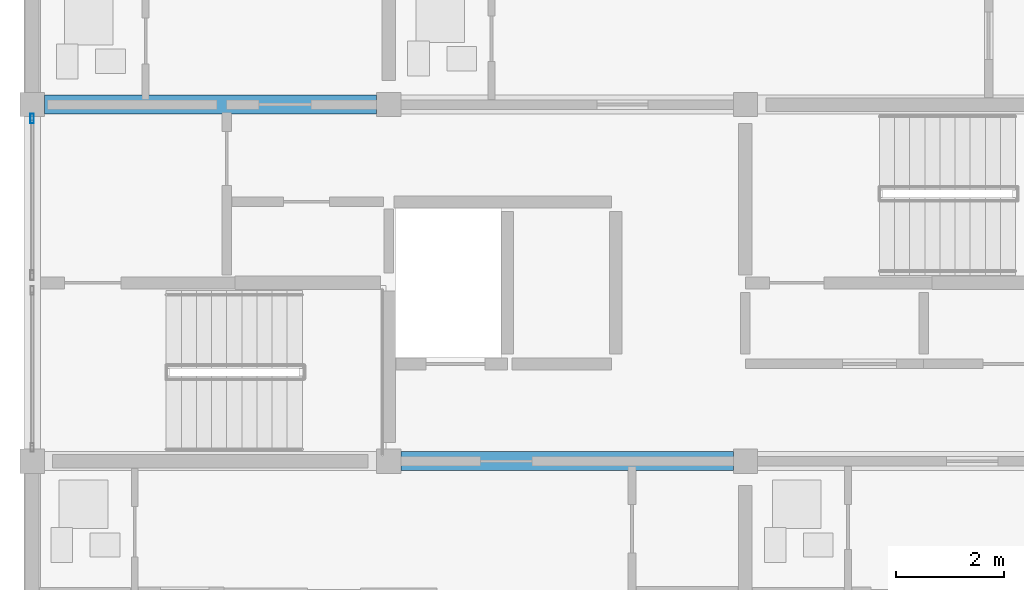
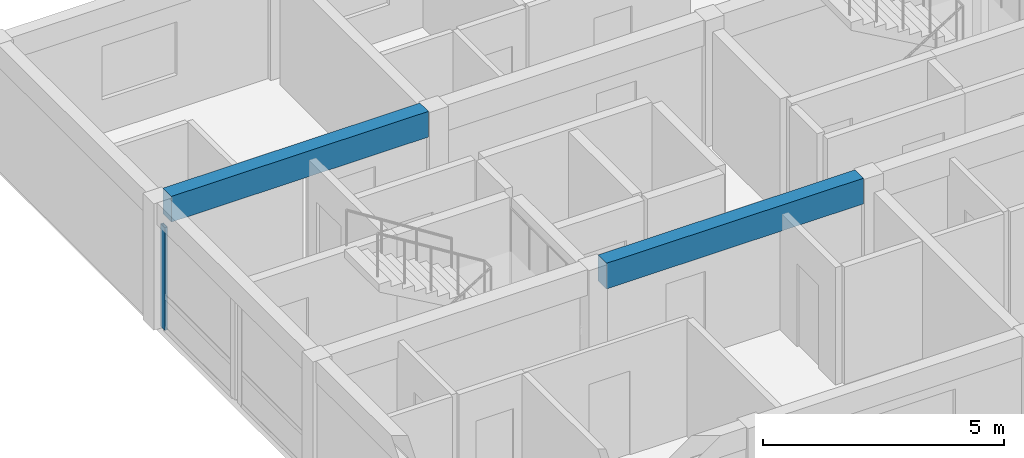
# One storey, part 9 of 37: 2 beams, 1 member, 1 element without a shape of its own.
"""IFC4 building model written with IfcOpenShell, lengths in metres."""

from ifc_helpers import new_model, si_unit, direction, frame, origin, origin_2d, place, context, subcontext, project, spatial, rectangle, hollow_rectangle, extrude, material, material_profile, profile_set, type_object, element, aggregate, save


model = new_model("IFC4")

# Units and contexts
model_context = context("Model", 3, precision=1e-05, world=origin(), true_north=direction((0.0, 1.0)))
body_context = subcontext(model_context, "Body", "Model", "MODEL_VIEW")
ifc_project = project(units=[si_unit("LENGTHUNIT", "METRE"), si_unit("AREAUNIT", "SQUARE_METRE"), si_unit("VOLUMEUNIT", "CUBIC_METRE"), si_unit("PLANEANGLEUNIT", "RADIAN"), si_unit("MASSUNIT", "GRAM", prefix="KILO")], contexts=[model_context])

# Site, building, storey
site_placement = place(None, origin())
site = spatial("IfcSite", under=ifc_project, at=site_placement, CompositionType="ELEMENT")
building_placement = place(site_placement, origin())
building = spatial("IfcBuilding", under=site, at=building_placement, Name="Kernevlak Ridge Housing Community", CompositionType="ELEMENT")
storey_placement = place(building_placement, frame((0.0, 0.0, 37.199951171875)))
storey = spatial("IfcBuildingStorey", under=building, at=storey_placement, Name="L11", CompositionType="ELEMENT", Elevation=37.199951171875)

# Beams
ifc_material_1 = material(Name="Concrete C35/45", Category="concrete")
ifc_material_profile_1 = material_profile(ifc_material_1, rectangle(XDim=0.35009765625, YDim=0.64990234375, at=origin_2d()), Name="RC 350x650")
ifc_profile_set_1 = profile_set([ifc_material_profile_1], Name="Concrete C35/45")
beam_type = type_object("IfcBeamType", Name="B-02", PredefinedType="BEAM", material=ifc_profile_set_1)
beam_1_placement = place(storey_placement, frame((22.425048828125, 82.60009765625, 2.875), z_axis=(1.0, 0.0, 0.0), x_axis=(0.0, 1.0, 0.0)))
element("IfcBeam", 1, at=beam_1_placement, inside=storey, type_object=beam_type, Name="Beam B-02 L11 349", PredefinedType="BEAM", context=body_context, shape_type="SweptSolid", body=[
    extrude(rectangle(XDim=0.35009765625, YDim=0.64990234375, at=origin_2d()), origin(), (0.0, 0.0, 1.0), 6.14990234375),
])
beam_2_placement = place(storey_placement, frame((15.824951171875, 89.199951171875, 2.875), z_axis=(1.0, 0.0, 0.0), x_axis=(0.0, 1.0, 0.0)))
element("IfcBeam", 2, at=beam_2_placement, inside=storey, type_object=beam_type, Name="Beam B-02 L11 353", PredefinedType="BEAM", context=body_context, shape_type="SweptSolid", body=[
    extrude(rectangle(XDim=0.35009765625, YDim=0.64990234375, at=origin_2d()), origin(), (0.0, 0.0, 1.0), 6.150146484375),
])

# Curtain wall, member
ifc_material_2 = material(Name="Aluminium EN AW-6060 anodised and laminated glass", Category="aluminium")
curtain_wall_type = type_object("IfcCurtainWallType", Name="CW-06", PredefinedType="NOTDEFINED", material=ifc_material_2)
curtain_wall_placement = place(storey_placement, origin())
curtain_wall = element("IfcCurtainWall", 3, at=curtain_wall_placement, inside=storey, type_object=curtain_wall_type, Name="Curtain wall CW-06 CW-L11-035", PredefinedType="NOTDEFINED")
ifc_material_3 = material(Name="Aluminium EN AW-6060 anodised", Category="aluminium")
ifc_material_profile_2 = material_profile(ifc_material_3, hollow_rectangle(XDim=0.06494140625, YDim=0.179931640625, WallThickness=0.00439453125, InnerFilletRadius=0.001953125, OuterFilletRadius=0.00439453125, at=origin_2d()), Name="ALU 65x180x4.5")
ifc_profile_set_2 = profile_set([ifc_material_profile_2], Name="Aluminium EN AW-6060 anodised")
member_type = type_object("IfcMemberType", Name="MU-03", PredefinedType="MULLION", material=ifc_profile_set_2)
member_placement = place(storey_placement, frame((15.60009765625, 88.9423828125, 0.0), z_axis=(0.0, 0.0, 1.0), x_axis=(-1.0, 0.0, 0.0)))
member = element("IfcMember", 4, at=member_placement, type_object=member_type, Name="CW-06 mullion 2", PredefinedType="MULLION", context=body_context, shape_type="SweptSolid", body=[
    extrude(hollow_rectangle(XDim=0.06494140625, YDim=0.179931640625, WallThickness=0.00439453125, InnerFilletRadius=0.001953125, OuterFilletRadius=0.00439453125, at=origin_2d()), origin(), (0.0, 0.0, 1.0), 2.60009765625),
])
aggregate(curtain_wall, [member])

save(model, "model.ifc")
